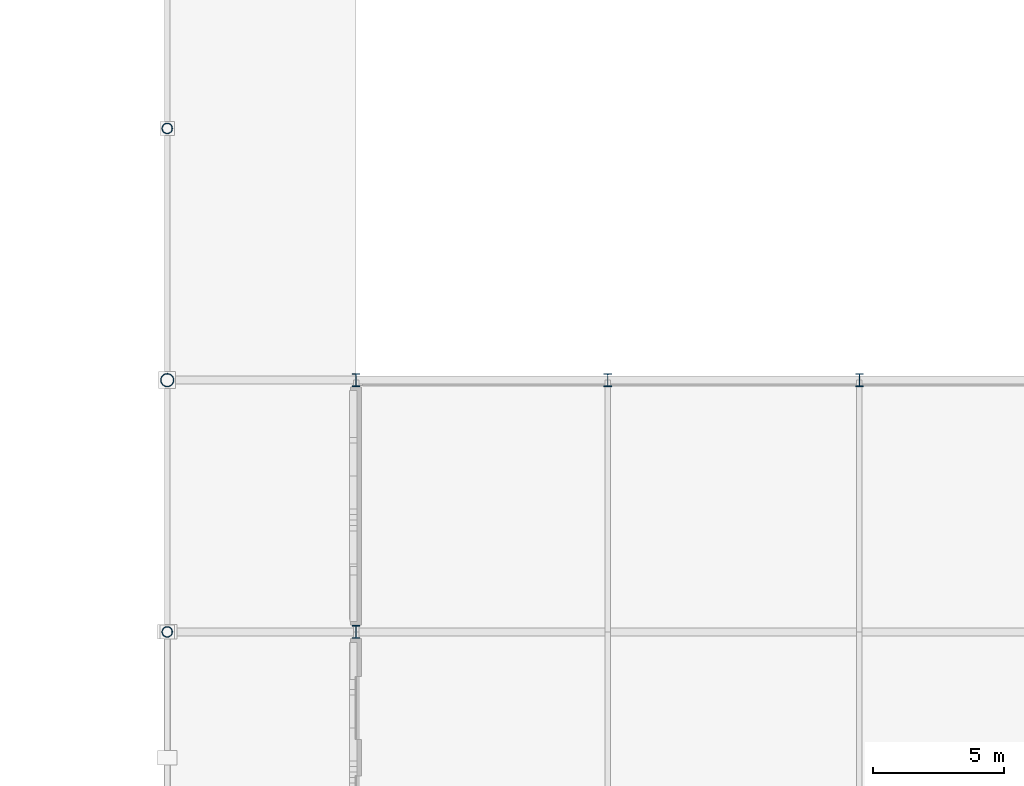
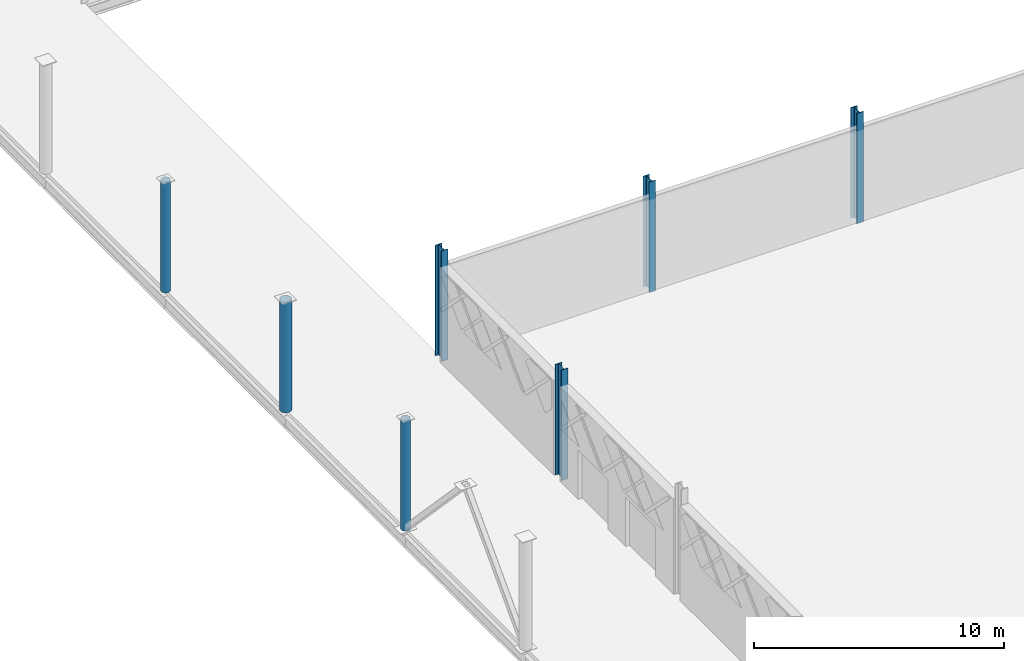
# One storey, part 3 of 84: 7 columns.
"""IFC4 building model written with IfcOpenShell, lengths in metres."""

from ifc_helpers import new_model, si_unit, direction, frame, origin, origin_2d, place, context, subcontext, project, spatial, hollow_circle, i_section, extrude, material, material_profile, profile_set, type_object, element, save


model = new_model("IFC4")

# Units and contexts
model_context = context("Model", 3, precision=1e-05, world=origin(), true_north=direction((0.0, 1.0)))
body_context = subcontext(model_context, "Body", "Model", "MODEL_VIEW")
ifc_project = project(units=[si_unit("LENGTHUNIT", "METRE"), si_unit("AREAUNIT", "SQUARE_METRE"), si_unit("VOLUMEUNIT", "CUBIC_METRE"), si_unit("PLANEANGLEUNIT", "RADIAN"), si_unit("MASSUNIT", "GRAM", prefix="KILO")], contexts=[model_context])

# Site, building, storey
site_placement = place(None, origin())
site = spatial("IfcSite", under=ifc_project, at=site_placement, CompositionType="ELEMENT")
building_placement = place(site_placement, origin())
building = spatial("IfcBuilding", under=site, at=building_placement, Name="Zevrakil Square Congress Hotel", CompositionType="ELEMENT")
storey_placement = place(building_placement, origin())
storey = spatial("IfcBuildingStorey", under=building, at=storey_placement, Name="L01", CompositionType="ELEMENT", Elevation=0.0)

# Columns
ifc_material_1 = material(Name="Steel S355", Category="steel")
ifc_material_profile_1 = material_profile(ifc_material_1, hollow_circle(Radius=0.203125, WallThickness=0.02001953125, at=origin_2d()), Name="CHS 406.4x20")
ifc_profile_set_1 = profile_set([ifc_material_profile_1], Name="Steel S355")
column_type_1 = type_object("IfcColumnType", Name="COL-CHS406", PredefinedType="COLUMN", material=ifc_profile_set_1)
for number, where, z_axis, x_axis, name in (
    (1, (0.0, 36.0, 0.0), (0.0, 0.0, 1.0), (1.0, 0.0, 0.0), "L01 column C-005"),
    (2, (0.0, 55.199951171875, 0.0), (0.0, 0.0, 1.0), (1.0, 0.0, 0.0), "L01 column C-007"),
):
    element("IfcColumn", number, at=place(storey_placement, frame(where, z_axis=z_axis, x_axis=x_axis)), inside=storey, type_object=column_type_1, Name=name, PredefinedType="COLUMN", context=body_context, shape_type="SweptSolid", body=[
        extrude(hollow_circle(Radius=0.203125, WallThickness=0.02001953125, at=origin_2d()), origin(), (0.0, 0.0, 1.0), 5.39990234375),
    ])
ifc_material_2 = material(Name="Steel S355", Category="steel")
ifc_material_profile_2 = material_profile(ifc_material_2, hollow_circle(Radius=0.25390625, WallThickness=0.02001953125, at=origin_2d()), Name="CHS 508x20")
ifc_profile_set_2 = profile_set([ifc_material_profile_2], Name="Steel S355")
column_type_2 = type_object("IfcColumnType", Name="COL-CHS508", PredefinedType="COLUMN", material=ifc_profile_set_2)
column_placement = place(storey_placement, frame((0.0, 45.60009765625, 0.0), z_axis=(0.0, 0.0, 1.0), x_axis=(1.0, 0.0, 0.0)))
element("IfcColumn", 3, at=column_placement, inside=storey, type_object=column_type_2, Name="L01 column C-006", PredefinedType="COLUMN", context=body_context, shape_type="SweptSolid", body=[
    extrude(hollow_circle(Radius=0.25390625, WallThickness=0.02001953125, at=origin_2d()), origin(), (0.0, 0.0, 1.0), 5.39990234375),
])
ifc_material_3 = material(Name="Steel S355", Category="steel")
ifc_material_profile_3 = material_profile(ifc_material_3, i_section(OverallWidth=0.300048828125, OverallDepth=0.5, WebThickness=0.014404296875, FlangeThickness=0.028076171875, FilletRadius=0.027099609375, at=origin_2d()), Name="HEB 500")
ifc_profile_set_3 = profile_set([ifc_material_profile_3], Name="Steel S355")
column_type_3 = type_object("IfcColumnType", Name="COL-HEB500", PredefinedType="COLUMN", material=ifc_profile_set_3)
for number, where, z_axis, x_axis, name in (
    (4, (7.199951171875, 36.0, 0.0), (0.0, 0.0, 1.0), (1.0, 0.0, 0.0), "L01 column C-018"),
    (5, (7.199951171875, 45.60009765625, 0.0), (0.0, 0.0, 1.0), (1.0, 0.0, 0.0), "L01 column C-019"),
    (6, (16.800048828125, 45.60009765625, 0.0), (0.0, 0.0, 1.0), (1.0, 0.0, 0.0), "L01 column C-031"),
    (7, (26.39990234375, 45.60009765625, 0.0), (0.0, 0.0, 1.0), (1.0, 0.0, 0.0), "L01 column C-045"),
):
    element("IfcColumn", number, at=place(storey_placement, frame(where, z_axis=z_axis, x_axis=x_axis)), inside=storey, type_object=column_type_3, Name=name, PredefinedType="COLUMN", context=body_context, shape_type="SweptSolid", body=[
        extrude(i_section(OverallWidth=0.300048828125, OverallDepth=0.5, WebThickness=0.014404296875, FlangeThickness=0.028076171875, FilletRadius=0.027099609375, at=origin_2d()), origin(), (0.0, 0.0, 1.0), 5.39990234375),
    ])

save(model, "model.ifc")
